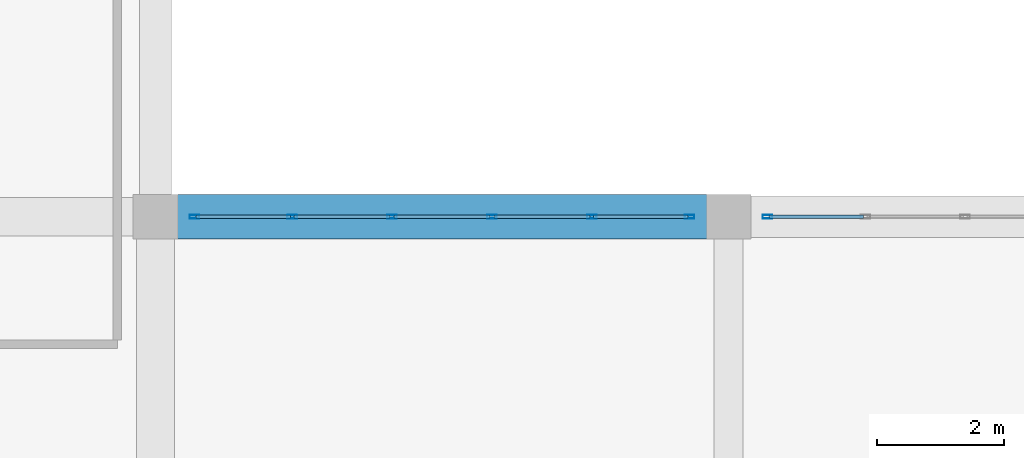
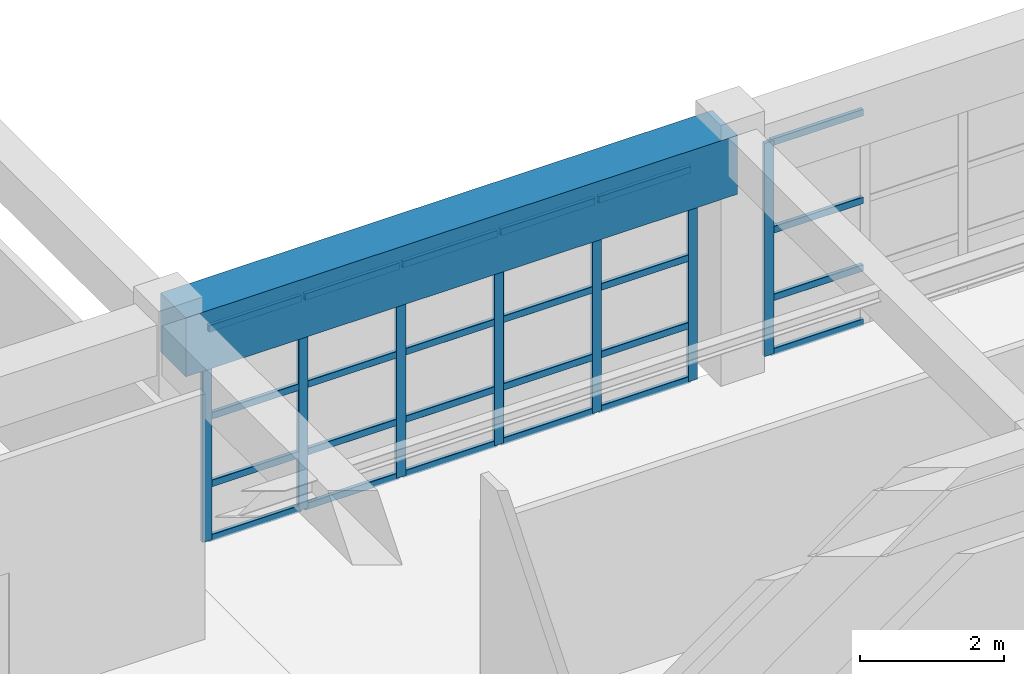
# One storey, part 73 of 133: 31 members, 1 beam, 2 elements without a shape of their own.
"""IFC4 building model written with IfcOpenShell, lengths in metres."""

from ifc_helpers import new_model, si_unit, direction, frame, origin, origin_2d, place, context, subcontext, project, spatial, rectangle, hollow_rectangle, extrude, material, material_profile, profile_set, type_object, element, aggregate, save


model = new_model("IFC4")

# Units and contexts
model_context = context("Model", 3, precision=1e-05, world=origin(), true_north=direction((0.0, 1.0)))
body_context = subcontext(model_context, "Body", "Model", "MODEL_VIEW")
ifc_project = project(units=[si_unit("LENGTHUNIT", "METRE"), si_unit("AREAUNIT", "SQUARE_METRE"), si_unit("VOLUMEUNIT", "CUBIC_METRE"), si_unit("PLANEANGLEUNIT", "RADIAN"), si_unit("MASSUNIT", "GRAM", prefix="KILO")], contexts=[model_context])

# Site, building, storey
site_placement = place(None, origin())
site = spatial("IfcSite", under=ifc_project, at=site_placement, CompositionType="ELEMENT")
building_placement = place(site_placement, origin())
building = spatial("IfcBuilding", under=site, at=building_placement, Name="Miravela Opera House", CompositionType="ELEMENT")
storey_placement = place(building_placement, frame((0.0, 0.0, 5.10009765625)))
storey = spatial("IfcBuildingStorey", under=building, at=storey_placement, Name="L01", CompositionType="ELEMENT", Elevation=5.10009765625)

# Curtain wall, members
ifc_material_1 = material(Name="Anodised architectural bronze aluminium 6063-T6", Category="aluminium")
curtain_wall_type = type_object("IfcCurtainWallType", Name="ARC-CW-05", PredefinedType="NOTDEFINED", material=ifc_material_1)
curtain_wall_1_placement = place(storey_placement, origin())
curtain_wall_1 = element("IfcCurtainWall", 1, at=curtain_wall_1_placement, inside=storey, type_object=curtain_wall_type, Name="Courtyard Arcade Curtain Wall CW-L01-168", PredefinedType="NOTDEFINED")
ifc_material_profile_1 = material_profile(ifc_material_1, hollow_rectangle(XDim=0.06005859375, YDim=0.14990234375, WallThickness=0.00390625, InnerFilletRadius=0.001953125, OuterFilletRadius=0.00390625, at=origin_2d()), Name="CWM-60X150")
ifc_profile_set_1 = profile_set([ifc_material_profile_1])
member_type_1 = type_object("IfcMemberType", Name="ARC-CWM-150", PredefinedType="MULLION", material=ifc_profile_set_1)
member_1_placement = place(storey_placement, frame((117.610107421875, 84.0, 0.0), z_axis=(0.0, 0.0, 1.0), x_axis=(0.0, 1.0, 0.0)))
member_1 = element("IfcMember", 2, at=member_1_placement, type_object=member_type_1, Name="CW-05 mullion 1", PredefinedType="MULLION", context=body_context, shape_type="SweptSolid", body=[
    extrude(hollow_rectangle(XDim=0.06005859375, YDim=0.14990234375, WallThickness=0.00390625, InnerFilletRadius=0.001953125, OuterFilletRadius=0.00390625, at=origin_2d()), origin(), (0.0, 0.0, 1.0), 3.60986328125),
])
member_2_placement = place(storey_placement, frame((119.14794921875, 84.0, 0.0), z_axis=(0.0, 0.0, 1.0), x_axis=(0.0, 1.0, 0.0)))
member_2 = element("IfcMember", 3, at=member_2_placement, type_object=member_type_1, Name="CW-05 mullion 2", PredefinedType="MULLION", context=body_context, shape_type="SweptSolid", body=[
    extrude(hollow_rectangle(XDim=0.06005859375, YDim=0.14990234375, WallThickness=0.00390625, InnerFilletRadius=0.001953125, OuterFilletRadius=0.00390625, at=origin_2d()), origin(), (0.0, 0.0, 1.0), 3.60986328125),
])
member_3_placement = place(storey_placement, frame((120.716064453125, 84.0, 0.0), z_axis=(0.0, 0.0, 1.0), x_axis=(0.0, 1.0, 0.0)))
member_3 = element("IfcMember", 4, at=member_3_placement, type_object=member_type_1, Name="CW-05 mullion 3", PredefinedType="MULLION", context=body_context, shape_type="SweptSolid", body=[
    extrude(hollow_rectangle(XDim=0.06005859375, YDim=0.14990234375, WallThickness=0.00390625, InnerFilletRadius=0.001953125, OuterFilletRadius=0.00390625, at=origin_2d()), origin(), (0.0, 0.0, 1.0), 3.60986328125),
])
member_4_placement = place(storey_placement, frame((122.283935546875, 84.0, 0.0), z_axis=(0.0, 0.0, 1.0), x_axis=(0.0, 1.0, 0.0)))
member_4 = element("IfcMember", 5, at=member_4_placement, type_object=member_type_1, Name="CW-05 mullion 4", PredefinedType="MULLION", context=body_context, shape_type="SweptSolid", body=[
    extrude(hollow_rectangle(XDim=0.06005859375, YDim=0.14990234375, WallThickness=0.00390625, InnerFilletRadius=0.001953125, OuterFilletRadius=0.00390625, at=origin_2d()), origin(), (0.0, 0.0, 1.0), 3.60986328125),
])
member_5_placement = place(storey_placement, frame((123.85205078125, 84.0, 0.0), z_axis=(0.0, 0.0, 1.0), x_axis=(0.0, 1.0, 0.0)))
member_5 = element("IfcMember", 6, at=member_5_placement, type_object=member_type_1, Name="CW-05 mullion 5", PredefinedType="MULLION", context=body_context, shape_type="SweptSolid", body=[
    extrude(hollow_rectangle(XDim=0.06005859375, YDim=0.14990234375, WallThickness=0.00390625, InnerFilletRadius=0.001953125, OuterFilletRadius=0.00390625, at=origin_2d()), origin(), (0.0, 0.0, 1.0), 3.60986328125),
])
member_6_placement = place(storey_placement, frame((125.389892578125, 84.0, 0.0), z_axis=(0.0, 0.0, 1.0), x_axis=(0.0, 1.0, 0.0)))
member_6 = element("IfcMember", 7, at=member_6_placement, type_object=member_type_1, Name="CW-05 mullion 6", PredefinedType="MULLION", context=body_context, shape_type="SweptSolid", body=[
    extrude(hollow_rectangle(XDim=0.06005859375, YDim=0.14990234375, WallThickness=0.00390625, InnerFilletRadius=0.001953125, OuterFilletRadius=0.00390625, at=origin_2d()), origin(), (0.0, 0.0, 1.0), 3.60986328125),
])

# Curtain wall, member
curtain_wall_2_placement = place(storey_placement, origin())
curtain_wall_2 = element("IfcCurtainWall", 8, at=curtain_wall_2_placement, inside=storey, type_object=curtain_wall_type, Name="Courtyard Arcade Curtain Wall CW-L01-172", PredefinedType="NOTDEFINED")
member_7_placement = place(storey_placement, frame((126.610107421875, 84.0, 0.0), z_axis=(0.0, 0.0, 1.0), x_axis=(0.0, 1.0, 0.0)))
member_7 = element("IfcMember", 9, at=member_7_placement, type_object=member_type_1, Name="CW-05 mullion 1", PredefinedType="MULLION", context=body_context, shape_type="SweptSolid", body=[
    extrude(hollow_rectangle(XDim=0.06005859375, YDim=0.14990234375, WallThickness=0.00390625, InnerFilletRadius=0.001953125, OuterFilletRadius=0.00390625, at=origin_2d()), origin(), (0.0, 0.0, 1.0), 3.60986328125),
])

# Member
ifc_material_profile_2 = material_profile(ifc_material_1, hollow_rectangle(XDim=0.06005859375, YDim=0.114990234375, WallThickness=0.00390625, InnerFilletRadius=0.001953125, OuterFilletRadius=0.00390625, at=origin_2d()), Name="CWT-60X115")
ifc_profile_set_2 = profile_set([ifc_material_profile_2])
member_type_2 = type_object("IfcMemberType", Name="ARC-CWT-115", PredefinedType="USERDEFINED", material=ifc_profile_set_2)
member_8_placement = place(storey_placement, frame((117.639892578125, 84.0, 0.02978515625), z_axis=(1.0, 0.0, 0.0), x_axis=(0.0, 1.0, 0.0)))
member_8 = element("IfcMember", 10, at=member_8_placement, type_object=member_type_2, Name="CW-05 transom 1.1", ObjectType="TRANSOM", PredefinedType="USERDEFINED", context=body_context, shape_type="SweptSolid", body=[
    extrude(hollow_rectangle(XDim=0.06005859375, YDim=0.114990234375, WallThickness=0.00390625, InnerFilletRadius=0.001953125, OuterFilletRadius=0.00390625, at=origin_2d()), origin(), (0.0, 0.0, 1.0), 1.47802734375),
])

member_9_placement = place(storey_placement, frame((117.639892578125, 84.0, 0.949951171875), z_axis=(1.0, 0.0, 0.0), x_axis=(0.0, 1.0, 0.0)))
member_9 = element("IfcMember", 11, at=member_9_placement, type_object=member_type_2, Name="CW-05 transom 1.2", ObjectType="TRANSOM", PredefinedType="USERDEFINED", context=body_context, shape_type="SweptSolid", body=[
    extrude(hollow_rectangle(XDim=0.06005859375, YDim=0.114990234375, WallThickness=0.00390625, InnerFilletRadius=0.001953125, OuterFilletRadius=0.00390625, at=origin_2d()), origin(), (0.0, 0.0, 1.0), 1.47802734375),
])

member_10_placement = place(storey_placement, frame((117.639892578125, 84.0, 2.09375), z_axis=(1.0, 0.0, 0.0), x_axis=(0.0, 1.0, 0.0)))
member_10 = element("IfcMember", 12, at=member_10_placement, type_object=member_type_2, Name="CW-05 transom 1.3", ObjectType="TRANSOM", PredefinedType="USERDEFINED", context=body_context, shape_type="SweptSolid", body=[
    extrude(hollow_rectangle(XDim=0.06005859375, YDim=0.114990234375, WallThickness=0.00390625, InnerFilletRadius=0.001953125, OuterFilletRadius=0.00390625, at=origin_2d()), origin(), (0.0, 0.0, 1.0), 1.47802734375),
])

member_11_placement = place(storey_placement, frame((117.639892578125, 84.0, 3.579833984375), z_axis=(1.0, 0.0, 0.0), x_axis=(0.0, 1.0, 0.0)))
member_11 = element("IfcMember", 13, at=member_11_placement, type_object=member_type_2, Name="CW-05 transom 1.4", ObjectType="TRANSOM", PredefinedType="USERDEFINED", context=body_context, shape_type="SweptSolid", body=[
    extrude(hollow_rectangle(XDim=0.06005859375, YDim=0.114990234375, WallThickness=0.00390625, InnerFilletRadius=0.001953125, OuterFilletRadius=0.00390625, at=origin_2d()), origin(), (0.0, 0.0, 1.0), 1.47802734375),
])

member_12_placement = place(storey_placement, frame((119.177978515625, 84.0, 0.02978515625), z_axis=(1.0, 0.0, 0.0), x_axis=(0.0, 1.0, 0.0)))
member_12 = element("IfcMember", 14, at=member_12_placement, type_object=member_type_2, Name="CW-05 transom 2.1", ObjectType="TRANSOM", PredefinedType="USERDEFINED", context=body_context, shape_type="SweptSolid", body=[
    extrude(hollow_rectangle(XDim=0.06005859375, YDim=0.114990234375, WallThickness=0.00390625, InnerFilletRadius=0.001953125, OuterFilletRadius=0.00390625, at=origin_2d()), origin(), (0.0, 0.0, 1.0), 1.508056640625),
])

member_13_placement = place(storey_placement, frame((119.177978515625, 84.0, 0.949951171875), z_axis=(1.0, 0.0, 0.0), x_axis=(0.0, 1.0, 0.0)))
member_13 = element("IfcMember", 15, at=member_13_placement, type_object=member_type_2, Name="CW-05 transom 2.2", ObjectType="TRANSOM", PredefinedType="USERDEFINED", context=body_context, shape_type="SweptSolid", body=[
    extrude(hollow_rectangle(XDim=0.06005859375, YDim=0.114990234375, WallThickness=0.00390625, InnerFilletRadius=0.001953125, OuterFilletRadius=0.00390625, at=origin_2d()), origin(), (0.0, 0.0, 1.0), 1.508056640625),
])

member_14_placement = place(storey_placement, frame((119.177978515625, 84.0, 2.09375), z_axis=(1.0, 0.0, 0.0), x_axis=(0.0, 1.0, 0.0)))
member_14 = element("IfcMember", 16, at=member_14_placement, type_object=member_type_2, Name="CW-05 transom 2.3", ObjectType="TRANSOM", PredefinedType="USERDEFINED", context=body_context, shape_type="SweptSolid", body=[
    extrude(hollow_rectangle(XDim=0.06005859375, YDim=0.114990234375, WallThickness=0.00390625, InnerFilletRadius=0.001953125, OuterFilletRadius=0.00390625, at=origin_2d()), origin(), (0.0, 0.0, 1.0), 1.508056640625),
])

member_15_placement = place(storey_placement, frame((119.177978515625, 84.0, 3.579833984375), z_axis=(1.0, 0.0, 0.0), x_axis=(0.0, 1.0, 0.0)))
member_15 = element("IfcMember", 17, at=member_15_placement, type_object=member_type_2, Name="CW-05 transom 2.4", ObjectType="TRANSOM", PredefinedType="USERDEFINED", context=body_context, shape_type="SweptSolid", body=[
    extrude(hollow_rectangle(XDim=0.06005859375, YDim=0.114990234375, WallThickness=0.00390625, InnerFilletRadius=0.001953125, OuterFilletRadius=0.00390625, at=origin_2d()), origin(), (0.0, 0.0, 1.0), 1.508056640625),
])

member_16_placement = place(storey_placement, frame((120.74609375, 84.0, 0.02978515625), z_axis=(1.0, 0.0, 0.0), x_axis=(0.0, 1.0, 0.0)))
member_16 = element("IfcMember", 18, at=member_16_placement, type_object=member_type_2, Name="CW-05 transom 3.1", ObjectType="TRANSOM", PredefinedType="USERDEFINED", context=body_context, shape_type="SweptSolid", body=[
    extrude(hollow_rectangle(XDim=0.06005859375, YDim=0.114990234375, WallThickness=0.00390625, InnerFilletRadius=0.001953125, OuterFilletRadius=0.00390625, at=origin_2d()), origin(), (0.0, 0.0, 1.0), 1.5078125),
])

member_17_placement = place(storey_placement, frame((120.74609375, 84.0, 0.949951171875), z_axis=(1.0, 0.0, 0.0), x_axis=(0.0, 1.0, 0.0)))
member_17 = element("IfcMember", 19, at=member_17_placement, type_object=member_type_2, Name="CW-05 transom 3.2", ObjectType="TRANSOM", PredefinedType="USERDEFINED", context=body_context, shape_type="SweptSolid", body=[
    extrude(hollow_rectangle(XDim=0.06005859375, YDim=0.114990234375, WallThickness=0.00390625, InnerFilletRadius=0.001953125, OuterFilletRadius=0.00390625, at=origin_2d()), origin(), (0.0, 0.0, 1.0), 1.5078125),
])

member_18_placement = place(storey_placement, frame((120.74609375, 84.0, 2.09375), z_axis=(1.0, 0.0, 0.0), x_axis=(0.0, 1.0, 0.0)))
member_18 = element("IfcMember", 20, at=member_18_placement, type_object=member_type_2, Name="CW-05 transom 3.3", ObjectType="TRANSOM", PredefinedType="USERDEFINED", context=body_context, shape_type="SweptSolid", body=[
    extrude(hollow_rectangle(XDim=0.06005859375, YDim=0.114990234375, WallThickness=0.00390625, InnerFilletRadius=0.001953125, OuterFilletRadius=0.00390625, at=origin_2d()), origin(), (0.0, 0.0, 1.0), 1.5078125),
])

member_19_placement = place(storey_placement, frame((120.74609375, 84.0, 3.579833984375), z_axis=(1.0, 0.0, 0.0), x_axis=(0.0, 1.0, 0.0)))
member_19 = element("IfcMember", 21, at=member_19_placement, type_object=member_type_2, Name="CW-05 transom 3.4", ObjectType="TRANSOM", PredefinedType="USERDEFINED", context=body_context, shape_type="SweptSolid", body=[
    extrude(hollow_rectangle(XDim=0.06005859375, YDim=0.114990234375, WallThickness=0.00390625, InnerFilletRadius=0.001953125, OuterFilletRadius=0.00390625, at=origin_2d()), origin(), (0.0, 0.0, 1.0), 1.5078125),
])

member_20_placement = place(storey_placement, frame((122.31396484375, 84.0, 0.02978515625), z_axis=(1.0, 0.0, 0.0), x_axis=(0.0, 1.0, 0.0)))
member_20 = element("IfcMember", 22, at=member_20_placement, type_object=member_type_2, Name="CW-05 transom 4.1", ObjectType="TRANSOM", PredefinedType="USERDEFINED", context=body_context, shape_type="SweptSolid", body=[
    extrude(hollow_rectangle(XDim=0.06005859375, YDim=0.114990234375, WallThickness=0.00390625, InnerFilletRadius=0.001953125, OuterFilletRadius=0.00390625, at=origin_2d()), origin(), (0.0, 0.0, 1.0), 1.508056640625),
])

member_21_placement = place(storey_placement, frame((122.31396484375, 84.0, 0.949951171875), z_axis=(1.0, 0.0, 0.0), x_axis=(0.0, 1.0, 0.0)))
member_21 = element("IfcMember", 23, at=member_21_placement, type_object=member_type_2, Name="CW-05 transom 4.2", ObjectType="TRANSOM", PredefinedType="USERDEFINED", context=body_context, shape_type="SweptSolid", body=[
    extrude(hollow_rectangle(XDim=0.06005859375, YDim=0.114990234375, WallThickness=0.00390625, InnerFilletRadius=0.001953125, OuterFilletRadius=0.00390625, at=origin_2d()), origin(), (0.0, 0.0, 1.0), 1.508056640625),
])

member_22_placement = place(storey_placement, frame((122.31396484375, 84.0, 2.09375), z_axis=(1.0, 0.0, 0.0), x_axis=(0.0, 1.0, 0.0)))
member_22 = element("IfcMember", 24, at=member_22_placement, type_object=member_type_2, Name="CW-05 transom 4.3", ObjectType="TRANSOM", PredefinedType="USERDEFINED", context=body_context, shape_type="SweptSolid", body=[
    extrude(hollow_rectangle(XDim=0.06005859375, YDim=0.114990234375, WallThickness=0.00390625, InnerFilletRadius=0.001953125, OuterFilletRadius=0.00390625, at=origin_2d()), origin(), (0.0, 0.0, 1.0), 1.508056640625),
])

member_23_placement = place(storey_placement, frame((122.31396484375, 84.0, 3.579833984375), z_axis=(1.0, 0.0, 0.0), x_axis=(0.0, 1.0, 0.0)))
member_23 = element("IfcMember", 25, at=member_23_placement, type_object=member_type_2, Name="CW-05 transom 4.4", ObjectType="TRANSOM", PredefinedType="USERDEFINED", context=body_context, shape_type="SweptSolid", body=[
    extrude(hollow_rectangle(XDim=0.06005859375, YDim=0.114990234375, WallThickness=0.00390625, InnerFilletRadius=0.001953125, OuterFilletRadius=0.00390625, at=origin_2d()), origin(), (0.0, 0.0, 1.0), 1.508056640625),
])

member_24_placement = place(storey_placement, frame((123.882080078125, 84.0, 0.02978515625), z_axis=(1.0, 0.0, 0.0), x_axis=(0.0, 1.0, 0.0)))
member_24 = element("IfcMember", 26, at=member_24_placement, type_object=member_type_2, Name="CW-05 transom 5.1", ObjectType="TRANSOM", PredefinedType="USERDEFINED", context=body_context, shape_type="SweptSolid", body=[
    extrude(hollow_rectangle(XDim=0.06005859375, YDim=0.114990234375, WallThickness=0.00390625, InnerFilletRadius=0.001953125, OuterFilletRadius=0.00390625, at=origin_2d()), origin(), (0.0, 0.0, 1.0), 1.47802734375),
])

member_25_placement = place(storey_placement, frame((123.882080078125, 84.0, 0.949951171875), z_axis=(1.0, 0.0, 0.0), x_axis=(0.0, 1.0, 0.0)))
member_25 = element("IfcMember", 27, at=member_25_placement, type_object=member_type_2, Name="CW-05 transom 5.2", ObjectType="TRANSOM", PredefinedType="USERDEFINED", context=body_context, shape_type="SweptSolid", body=[
    extrude(hollow_rectangle(XDim=0.06005859375, YDim=0.114990234375, WallThickness=0.00390625, InnerFilletRadius=0.001953125, OuterFilletRadius=0.00390625, at=origin_2d()), origin(), (0.0, 0.0, 1.0), 1.47802734375),
])

member_26_placement = place(storey_placement, frame((123.882080078125, 84.0, 2.09375), z_axis=(1.0, 0.0, 0.0), x_axis=(0.0, 1.0, 0.0)))
member_26 = element("IfcMember", 28, at=member_26_placement, type_object=member_type_2, Name="CW-05 transom 5.3", ObjectType="TRANSOM", PredefinedType="USERDEFINED", context=body_context, shape_type="SweptSolid", body=[
    extrude(hollow_rectangle(XDim=0.06005859375, YDim=0.114990234375, WallThickness=0.00390625, InnerFilletRadius=0.001953125, OuterFilletRadius=0.00390625, at=origin_2d()), origin(), (0.0, 0.0, 1.0), 1.47802734375),
])

member_27_placement = place(storey_placement, frame((123.882080078125, 84.0, 3.579833984375), z_axis=(1.0, 0.0, 0.0), x_axis=(0.0, 1.0, 0.0)))
member_27 = element("IfcMember", 29, at=member_27_placement, type_object=member_type_2, Name="CW-05 transom 5.4", ObjectType="TRANSOM", PredefinedType="USERDEFINED", context=body_context, shape_type="SweptSolid", body=[
    extrude(hollow_rectangle(XDim=0.06005859375, YDim=0.114990234375, WallThickness=0.00390625, InnerFilletRadius=0.001953125, OuterFilletRadius=0.00390625, at=origin_2d()), origin(), (0.0, 0.0, 1.0), 1.47802734375),
])

aggregate(curtain_wall_1, [member_1, member_2, member_3, member_4, member_5, member_6, member_8, member_9, member_10, member_11, member_12, member_13, member_14, member_15, member_16, member_17, member_18, member_19, member_20, member_21, member_22, member_23, member_24, member_25, member_26, member_27])

member_28_placement = place(storey_placement, frame((126.639892578125, 84.0, 0.02978515625), z_axis=(1.0, 0.0, 0.0), x_axis=(0.0, 1.0, 0.0)))
member_28 = element("IfcMember", 30, at=member_28_placement, type_object=member_type_2, Name="CW-05 transom 1.1", ObjectType="TRANSOM", PredefinedType="USERDEFINED", context=body_context, shape_type="SweptSolid", body=[
    extrude(hollow_rectangle(XDim=0.06005859375, YDim=0.114990234375, WallThickness=0.00390625, InnerFilletRadius=0.001953125, OuterFilletRadius=0.00390625, at=origin_2d()), origin(), (0.0, 0.0, 1.0), 1.47802734375),
])

member_29_placement = place(storey_placement, frame((126.639892578125, 84.0, 0.949951171875), z_axis=(1.0, 0.0, 0.0), x_axis=(0.0, 1.0, 0.0)))
member_29 = element("IfcMember", 31, at=member_29_placement, type_object=member_type_2, Name="CW-05 transom 1.2", ObjectType="TRANSOM", PredefinedType="USERDEFINED", context=body_context, shape_type="SweptSolid", body=[
    extrude(hollow_rectangle(XDim=0.06005859375, YDim=0.114990234375, WallThickness=0.00390625, InnerFilletRadius=0.001953125, OuterFilletRadius=0.00390625, at=origin_2d()), origin(), (0.0, 0.0, 1.0), 1.47802734375),
])

member_30_placement = place(storey_placement, frame((126.639892578125, 84.0, 2.09375), z_axis=(1.0, 0.0, 0.0), x_axis=(0.0, 1.0, 0.0)))
member_30 = element("IfcMember", 32, at=member_30_placement, type_object=member_type_2, Name="CW-05 transom 1.3", ObjectType="TRANSOM", PredefinedType="USERDEFINED", context=body_context, shape_type="SweptSolid", body=[
    extrude(hollow_rectangle(XDim=0.06005859375, YDim=0.114990234375, WallThickness=0.00390625, InnerFilletRadius=0.001953125, OuterFilletRadius=0.00390625, at=origin_2d()), origin(), (0.0, 0.0, 1.0), 1.47802734375),
])

member_31_placement = place(storey_placement, frame((126.639892578125, 84.0, 3.579833984375), z_axis=(1.0, 0.0, 0.0), x_axis=(0.0, 1.0, 0.0)))
member_31 = element("IfcMember", 33, at=member_31_placement, type_object=member_type_2, Name="CW-05 transom 1.4", ObjectType="TRANSOM", PredefinedType="USERDEFINED", context=body_context, shape_type="SweptSolid", body=[
    extrude(hollow_rectangle(XDim=0.06005859375, YDim=0.114990234375, WallThickness=0.00390625, InnerFilletRadius=0.001953125, OuterFilletRadius=0.00390625, at=origin_2d()), origin(), (0.0, 0.0, 1.0), 1.47802734375),
])

aggregate(curtain_wall_2, [member_7, member_28, member_29, member_30, member_31])

# Beam
ifc_material_2 = material(Name="Concrete C40/50", Category="concrete")
ifc_material_profile_3 = material_profile(ifc_material_2, rectangle(XDim=0.699951171875, YDim=1.0, at=origin_2d()), Name="RC-BM-700X1000")
ifc_profile_set_3 = profile_set([ifc_material_profile_3])
beam_type = type_object("IfcBeamType", Name="STR-BM-RC700X1000", PredefinedType="BEAM", material=ifc_profile_set_3)
beam_placement = place(storey_placement, frame((117.080078125, 84.0, 3.659912109375), z_axis=(1.0, 0.0, 0.0), x_axis=(0.0, 1.0, 0.0)))
element("IfcBeam", 34, at=beam_placement, inside=storey, type_object=beam_type, Name="Floor Girder L01 14-15/J", PredefinedType="BEAM", context=body_context, shape_type="SweptSolid", body=[
    extrude(rectangle(XDim=0.699951171875, YDim=1.0, at=origin_2d()), origin(), (0.0, 0.0, 1.0), 8.83984375),
])

save(model, "model.ifc")
